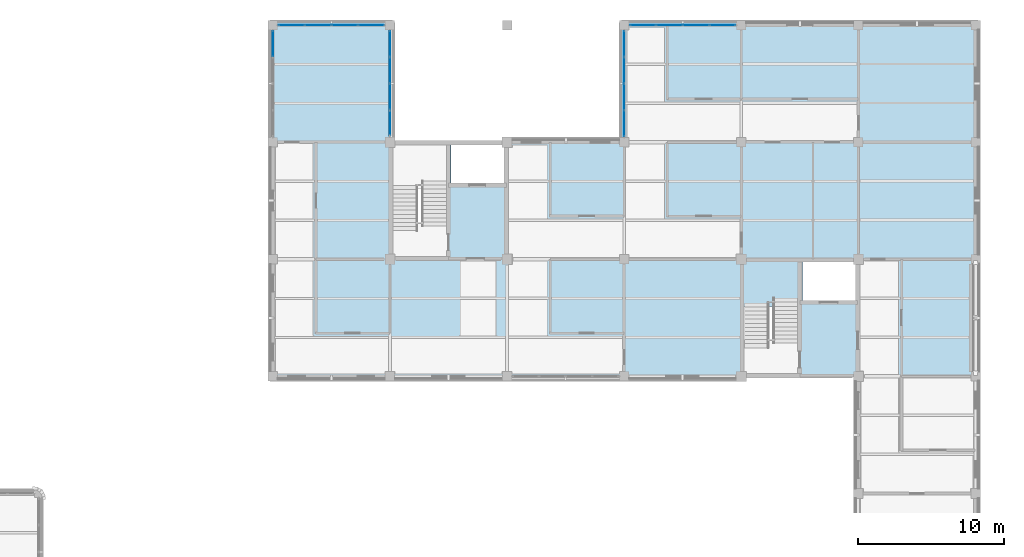
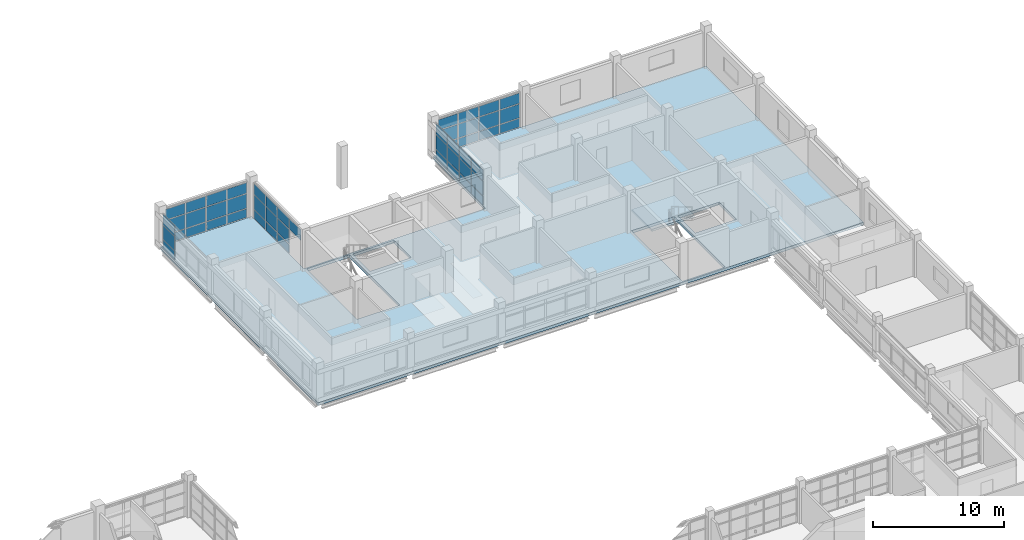
# One storey, part 69 of 107: 49 plates, 2 slabs, 6 elements without a shape of their own.
"""IFC4 building model written with IfcOpenShell, lengths in metres."""

from ifc_helpers import new_model, si_unit, derived_unit, direction, frame, origin, origin_2d, place, context, subcontext, project, spatial, polyline, rectangle, outline, extrude, material, layer, layer_set, type_object, element, aggregate, save


model = new_model("IFC4")

# Units and contexts
model_context = context("Model", 3, precision=1e-05, world=origin(), true_north=direction((0.0, 1.0)))
body_context = subcontext(model_context, "Body", "Model", "MODEL_VIEW")
ifc_project = project(units=[si_unit("LENGTHUNIT", "METRE"), si_unit("AREAUNIT", "SQUARE_METRE"), si_unit("VOLUMEUNIT", "CUBIC_METRE"), si_unit("PLANEANGLEUNIT", "RADIAN"), si_unit("MASSUNIT", "GRAM", prefix="KILO"), derived_unit("THERMALTRANSMITTANCEUNIT", [(si_unit("MASSUNIT", "GRAM", prefix="KILO"), 1), (si_unit("TIMEUNIT", "SECOND"), -3), (si_unit("THERMODYNAMICTEMPERATUREUNIT", "KELVIN"), -1)])], contexts=[model_context])

# Site, building, storey
site_placement = place(None, origin())
site = spatial("IfcSite", under=ifc_project, at=site_placement, CompositionType="ELEMENT")
building_placement = place(site_placement, origin())
building = spatial("IfcBuilding", under=site, at=building_placement, Name="Veyamyaing Civic Hall", CompositionType="ELEMENT")
storey_placement = place(building_placement, frame((0.0, 0.0, 13.860107421875)))
storey = spatial("IfcBuildingStorey", under=building, at=storey_placement, Name="L03", CompositionType="ELEMENT", Elevation=13.860107421875)

# Curtain wall, plates
ifc_material_1 = material(Name="Anodised aluminium 6063-T6", Category="aluminium")
ifc_layer_1 = layer(ifc_material_1, 0.159912109375, Name="Anodised aluminium 6063-T6")
ifc_layer_set_1 = layer_set([ifc_layer_1], Name="Anodised aluminium 6063-T6")
curtain_wall_type = type_object("IfcCurtainWallType", Name="CW-07", PredefinedType="NOTDEFINED", material=ifc_layer_set_1)
curtain_wall_1_placement = place(storey_placement, origin())
curtain_wall_1 = element("IfcCurtainWall", 1, at=curtain_wall_1_placement, inside=storey, type_object=curtain_wall_type, Name="Unitized curtain wall CW-07 L03 N 20.14", PredefinedType="NOTDEFINED")
ifc_material_2 = material(Name="Low-E insulated glass", Category="glass")
ifc_layer_2 = layer(ifc_material_2, 0.028076171875, Name="Low-E insulated glass")
ifc_layer_set_2 = layer_set([ifc_layer_2], Name="Low-E insulated glass")
plate_type_1 = type_object("IfcPlateType", Name="CWP-01", PredefinedType="CURTAIN_PANEL", material=ifc_layer_set_2)
plate_1_placement = place(storey_placement, frame((153.282470703125, 112.0, 0.06494140625), z_axis=(0.0, 0.0, 1.0), x_axis=(1.0, 0.0, 0.0)))
plate_1 = element("IfcPlate", 2, at=plate_1_placement, type_object=plate_type_1, Name="CW-07 panel 1.1", PredefinedType="CURTAIN_PANEL", context=body_context, shape_type="SweptSolid", body=[
    extrude(rectangle(XDim=1.72509765625, YDim=0.028076171875, at=origin_2d()), origin(), (0.0, 0.0, 1.0), 0.802490234375),
])
plate_2_placement = place(storey_placement, frame((153.282470703125, 112.0, 0.93212890625), z_axis=(0.0, 0.0, 1.0), x_axis=(1.0, 0.0, 0.0)))
plate_2 = element("IfcPlate", 3, at=plate_2_placement, type_object=plate_type_1, Name="CW-07 panel 1.2", PredefinedType="CURTAIN_PANEL", context=body_context, shape_type="SweptSolid", body=[
    extrude(rectangle(XDim=1.72509765625, YDim=0.028076171875, at=origin_2d()), origin(), (0.0, 0.0, 1.0), 1.279052734375),
])
plate_3_placement = place(storey_placement, frame((153.282470703125, 112.0, 2.2763671875), z_axis=(0.0, 0.0, 1.0), x_axis=(1.0, 0.0, 0.0)))
plate_3 = element("IfcPlate", 4, at=plate_3_placement, type_object=plate_type_1, Name="CW-07 panel 1.3", PredefinedType="CURTAIN_PANEL", context=body_context, shape_type="SweptSolid", body=[
    extrude(rectangle(XDim=1.72509765625, YDim=0.028076171875, at=origin_2d()), origin(), (0.0, 0.0, 1.0), 0.95849609375),
])
plate_4_placement = place(storey_placement, frame((155.0888671875, 112.0, 0.06494140625), z_axis=(0.0, 0.0, 1.0), x_axis=(1.0, 0.0, 0.0)))
plate_4 = element("IfcPlate", 5, at=plate_4_placement, type_object=plate_type_1, Name="CW-07 panel 2.1", PredefinedType="CURTAIN_PANEL", context=body_context, shape_type="SweptSolid", body=[
    extrude(rectangle(XDim=1.757568359375, YDim=0.028076171875, at=origin_2d()), origin(), (0.0, 0.0, 1.0), 0.802490234375),
])
plate_5_placement = place(storey_placement, frame((155.0888671875, 112.0, 0.93212890625), z_axis=(0.0, 0.0, 1.0), x_axis=(1.0, 0.0, 0.0)))
plate_5 = element("IfcPlate", 6, at=plate_5_placement, type_object=plate_type_1, Name="CW-07 panel 2.2", PredefinedType="CURTAIN_PANEL", context=body_context, shape_type="SweptSolid", body=[
    extrude(rectangle(XDim=1.757568359375, YDim=0.028076171875, at=origin_2d()), origin(), (0.0, 0.0, 1.0), 1.279052734375),
])
plate_6_placement = place(storey_placement, frame((155.0888671875, 112.0, 2.2763671875), z_axis=(0.0, 0.0, 1.0), x_axis=(1.0, 0.0, 0.0)))
plate_6 = element("IfcPlate", 7, at=plate_6_placement, type_object=plate_type_1, Name="CW-07 panel 2.3", PredefinedType="CURTAIN_PANEL", context=body_context, shape_type="SweptSolid", body=[
    extrude(rectangle(XDim=1.757568359375, YDim=0.028076171875, at=origin_2d()), origin(), (0.0, 0.0, 1.0), 0.95849609375),
])
plate_7_placement = place(storey_placement, frame((156.9111328125, 112.0, 0.06494140625), z_axis=(0.0, 0.0, 1.0), x_axis=(1.0, 0.0, 0.0)))
plate_7 = element("IfcPlate", 8, at=plate_7_placement, type_object=plate_type_1, Name="CW-07 panel 3.1", PredefinedType="CURTAIN_PANEL", context=body_context, shape_type="SweptSolid", body=[
    extrude(rectangle(XDim=1.757568359375, YDim=0.028076171875, at=origin_2d()), origin(), (0.0, 0.0, 1.0), 0.802490234375),
])
plate_8_placement = place(storey_placement, frame((156.9111328125, 112.0, 0.93212890625), z_axis=(0.0, 0.0, 1.0), x_axis=(1.0, 0.0, 0.0)))
plate_8 = element("IfcPlate", 9, at=plate_8_placement, type_object=plate_type_1, Name="CW-07 panel 3.2", PredefinedType="CURTAIN_PANEL", context=body_context, shape_type="SweptSolid", body=[
    extrude(rectangle(XDim=1.757568359375, YDim=0.028076171875, at=origin_2d()), origin(), (0.0, 0.0, 1.0), 1.279052734375),
])
plate_9_placement = place(storey_placement, frame((156.9111328125, 112.0, 2.2763671875), z_axis=(0.0, 0.0, 1.0), x_axis=(1.0, 0.0, 0.0)))
plate_9 = element("IfcPlate", 10, at=plate_9_placement, type_object=plate_type_1, Name="CW-07 panel 3.3", PredefinedType="CURTAIN_PANEL", context=body_context, shape_type="SweptSolid", body=[
    extrude(rectangle(XDim=1.757568359375, YDim=0.028076171875, at=origin_2d()), origin(), (0.0, 0.0, 1.0), 0.95849609375),
])
plate_10_placement = place(storey_placement, frame((158.717529296875, 112.0, 0.06494140625), z_axis=(0.0, 0.0, 1.0), x_axis=(1.0, 0.0, 0.0)))
plate_10 = element("IfcPlate", 11, at=plate_10_placement, type_object=plate_type_1, Name="CW-07 panel 4.1", PredefinedType="CURTAIN_PANEL", context=body_context, shape_type="SweptSolid", body=[
    extrude(rectangle(XDim=1.72509765625, YDim=0.028076171875, at=origin_2d()), origin(), (0.0, 0.0, 1.0), 0.802490234375),
])
plate_11_placement = place(storey_placement, frame((158.717529296875, 112.0, 0.93212890625), z_axis=(0.0, 0.0, 1.0), x_axis=(1.0, 0.0, 0.0)))
plate_11 = element("IfcPlate", 12, at=plate_11_placement, type_object=plate_type_1, Name="CW-07 panel 4.2", PredefinedType="CURTAIN_PANEL", context=body_context, shape_type="SweptSolid", body=[
    extrude(rectangle(XDim=1.72509765625, YDim=0.028076171875, at=origin_2d()), origin(), (0.0, 0.0, 1.0), 1.279052734375),
])
plate_12_placement = place(storey_placement, frame((158.717529296875, 112.0, 2.2763671875), z_axis=(0.0, 0.0, 1.0), x_axis=(1.0, 0.0, 0.0)))
plate_12 = element("IfcPlate", 13, at=plate_12_placement, type_object=plate_type_1, Name="CW-07 panel 4.3", PredefinedType="CURTAIN_PANEL", context=body_context, shape_type="SweptSolid", body=[
    extrude(rectangle(XDim=1.72509765625, YDim=0.028076171875, at=origin_2d()), origin(), (0.0, 0.0, 1.0), 0.95849609375),
])
aggregate(curtain_wall_1, [plate_1, plate_2, plate_3, plate_4, plate_5, plate_6, plate_7, plate_8, plate_9, plate_10, plate_11, plate_12])

curtain_wall_2_placement = place(storey_placement, origin())
curtain_wall_2 = element("IfcCurtainWall", 14, at=curtain_wall_2_placement, inside=storey, type_object=curtain_wall_type, Name="Unitized curtain wall CW-07 L03 W 20.14", PredefinedType="NOTDEFINED")
plate_13_placement = place(storey_placement, frame((152.0, 105.282470703125, 0.06494140625), z_axis=(0.0, 0.0, 1.0), x_axis=(0.0, 1.0, 0.0)))
plate_13 = element("IfcPlate", 15, at=plate_13_placement, type_object=plate_type_1, Name="CW-07 panel 1.1", PredefinedType="CURTAIN_PANEL", context=body_context, shape_type="SweptSolid", body=[
    extrude(rectangle(XDim=1.72509765625, YDim=0.028076171875, at=origin_2d()), origin(), (0.0, 0.0, 1.0), 0.802490234375),
])
plate_14_placement = place(storey_placement, frame((152.0, 105.282470703125, 0.932373046875), z_axis=(0.0, 0.0, 1.0), x_axis=(0.0, 1.0, 0.0)))
plate_14 = element("IfcPlate", 16, at=plate_14_placement, type_object=plate_type_1, Name="CW-07 panel 1.2", PredefinedType="CURTAIN_PANEL", context=body_context, shape_type="SweptSolid", body=[
    extrude(rectangle(XDim=1.72509765625, YDim=0.028076171875, at=origin_2d()), origin(), (0.0, 0.0, 1.0), 1.32470703125),
])
plate_15_placement = place(storey_placement, frame((152.0, 105.282470703125, 2.322021484375), z_axis=(0.0, 0.0, 1.0), x_axis=(0.0, 1.0, 0.0)))
plate_15 = element("IfcPlate", 17, at=plate_15_placement, type_object=plate_type_1, Name="CW-07 panel 1.3", PredefinedType="CURTAIN_PANEL", context=body_context, shape_type="SweptSolid", body=[
    extrude(rectangle(XDim=1.72509765625, YDim=0.028076171875, at=origin_2d()), origin(), (0.0, 0.0, 1.0), 0.97998046875),
])
plate_16_placement = place(storey_placement, frame((152.0, 107.0888671875, 0.06494140625), z_axis=(0.0, 0.0, 1.0), x_axis=(0.0, 1.0, 0.0)))
plate_16 = element("IfcPlate", 18, at=plate_16_placement, type_object=plate_type_1, Name="CW-07 panel 2.1", PredefinedType="CURTAIN_PANEL", context=body_context, shape_type="SweptSolid", body=[
    extrude(rectangle(XDim=1.757568359375, YDim=0.028076171875, at=origin_2d()), origin(), (0.0, 0.0, 1.0), 0.802490234375),
])
plate_17_placement = place(storey_placement, frame((152.0, 107.0888671875, 0.932373046875), z_axis=(0.0, 0.0, 1.0), x_axis=(0.0, 1.0, 0.0)))
plate_17 = element("IfcPlate", 19, at=plate_17_placement, type_object=plate_type_1, Name="CW-07 panel 2.2", PredefinedType="CURTAIN_PANEL", context=body_context, shape_type="SweptSolid", body=[
    extrude(rectangle(XDim=1.757568359375, YDim=0.028076171875, at=origin_2d()), origin(), (0.0, 0.0, 1.0), 1.32470703125),
])
plate_18_placement = place(storey_placement, frame((152.0, 107.0888671875, 2.322021484375), z_axis=(0.0, 0.0, 1.0), x_axis=(0.0, 1.0, 0.0)))
plate_18 = element("IfcPlate", 20, at=plate_18_placement, type_object=plate_type_1, Name="CW-07 panel 2.3", PredefinedType="CURTAIN_PANEL", context=body_context, shape_type="SweptSolid", body=[
    extrude(rectangle(XDim=1.757568359375, YDim=0.028076171875, at=origin_2d()), origin(), (0.0, 0.0, 1.0), 0.97998046875),
])
plate_19_placement = place(storey_placement, frame((152.0, 108.9111328125, 0.06494140625), z_axis=(0.0, 0.0, 1.0), x_axis=(0.0, 1.0, 0.0)))
plate_19 = element("IfcPlate", 21, at=plate_19_placement, type_object=plate_type_1, Name="CW-07 panel 3.1", PredefinedType="CURTAIN_PANEL", context=body_context, shape_type="SweptSolid", body=[
    extrude(rectangle(XDim=1.757568359375, YDim=0.028076171875, at=origin_2d()), origin(), (0.0, 0.0, 1.0), 0.802490234375),
])
plate_20_placement = place(storey_placement, frame((152.0, 108.9111328125, 0.932373046875), z_axis=(0.0, 0.0, 1.0), x_axis=(0.0, 1.0, 0.0)))
plate_20 = element("IfcPlate", 22, at=plate_20_placement, type_object=plate_type_1, Name="CW-07 panel 3.2", PredefinedType="CURTAIN_PANEL", context=body_context, shape_type="SweptSolid", body=[
    extrude(rectangle(XDim=1.757568359375, YDim=0.028076171875, at=origin_2d()), origin(), (0.0, 0.0, 1.0), 1.32470703125),
])
plate_21_placement = place(storey_placement, frame((152.0, 108.9111328125, 2.322021484375), z_axis=(0.0, 0.0, 1.0), x_axis=(0.0, 1.0, 0.0)))
plate_21 = element("IfcPlate", 23, at=plate_21_placement, type_object=plate_type_1, Name="CW-07 panel 3.3", PredefinedType="CURTAIN_PANEL", context=body_context, shape_type="SweptSolid", body=[
    extrude(rectangle(XDim=1.757568359375, YDim=0.028076171875, at=origin_2d()), origin(), (0.0, 0.0, 1.0), 0.97998046875),
])
plate_22_placement = place(storey_placement, frame((152.0, 110.717529296875, 0.06494140625), z_axis=(0.0, 0.0, 1.0), x_axis=(0.0, 1.0, 0.0)))
plate_22 = element("IfcPlate", 24, at=plate_22_placement, type_object=plate_type_1, Name="CW-07 panel 4.1", PredefinedType="CURTAIN_PANEL", context=body_context, shape_type="SweptSolid", body=[
    extrude(rectangle(XDim=1.72509765625, YDim=0.028076171875, at=origin_2d()), origin(), (0.0, 0.0, 1.0), 0.802490234375),
])
plate_23_placement = place(storey_placement, frame((152.0, 110.717529296875, 0.932373046875), z_axis=(0.0, 0.0, 1.0), x_axis=(0.0, 1.0, 0.0)))
plate_23 = element("IfcPlate", 25, at=plate_23_placement, type_object=plate_type_1, Name="CW-07 panel 4.2", PredefinedType="CURTAIN_PANEL", context=body_context, shape_type="SweptSolid", body=[
    extrude(rectangle(XDim=1.72509765625, YDim=0.028076171875, at=origin_2d()), origin(), (0.0, 0.0, 1.0), 1.32470703125),
])
plate_24_placement = place(storey_placement, frame((152.0, 110.717529296875, 2.322021484375), z_axis=(0.0, 0.0, 1.0), x_axis=(0.0, 1.0, 0.0)))
plate_24 = element("IfcPlate", 26, at=plate_24_placement, type_object=plate_type_1, Name="CW-07 panel 4.3", PredefinedType="CURTAIN_PANEL", context=body_context, shape_type="SweptSolid", body=[
    extrude(rectangle(XDim=1.72509765625, YDim=0.028076171875, at=origin_2d()), origin(), (0.0, 0.0, 1.0), 0.97998046875),
])
aggregate(curtain_wall_2, [plate_13, plate_14, plate_15, plate_16, plate_17, plate_18, plate_19, plate_20, plate_21, plate_22, plate_23, plate_24])

curtain_wall_3_placement = place(storey_placement, origin())
curtain_wall_3 = element("IfcCurtainWall", 27, at=curtain_wall_3_placement, inside=storey, type_object=curtain_wall_type, Name="Unitized curtain wall CW-07 L03 N 17.14", PredefinedType="NOTDEFINED")
ifc_layer_3 = layer(ifc_material_2, 0.02392578125, Name="Low-E insulated glass")
ifc_layer_set_3 = layer_set([ifc_layer_3], Name="Low-E insulated glass")
plate_type_2 = type_object("IfcPlateType", Name="CWP-04", PredefinedType="CURTAIN_PANEL", material=ifc_layer_set_3)
plate_25_placement = place(storey_placement, frame((129.282470703125, 112.0, 0.06494140625), z_axis=(0.0, 0.0, 1.0), x_axis=(1.0, 0.0, 0.0)))
plate_25 = element("IfcPlate", 28, at=plate_25_placement, type_object=plate_type_2, Name="CW-07 panel 1.1", PredefinedType="CURTAIN_PANEL", context=body_context, shape_type="SweptSolid", body=[
    extrude(rectangle(XDim=1.72509765625, YDim=0.02392578125, at=origin_2d()), origin(), (0.0, 0.0, 1.0), 0.802490234375),
])
plate_26_placement = place(storey_placement, frame((129.282470703125, 112.0, 0.9326171875), z_axis=(0.0, 0.0, 1.0), x_axis=(1.0, 0.0, 0.0)))
plate_26 = element("IfcPlate", 29, at=plate_26_placement, type_object=plate_type_2, Name="CW-07 panel 1.2", PredefinedType="CURTAIN_PANEL", context=body_context, shape_type="SweptSolid", body=[
    extrude(rectangle(XDim=1.72509765625, YDim=0.02392578125, at=origin_2d()), origin(), (0.0, 0.0, 1.0), 1.322509765625),
])
plate_27_placement = place(storey_placement, frame((129.282470703125, 112.0, 2.31982421875), z_axis=(0.0, 0.0, 1.0), x_axis=(1.0, 0.0, 0.0)))
plate_27 = element("IfcPlate", 30, at=plate_27_placement, type_object=plate_type_2, Name="CW-07 panel 1.3", PredefinedType="CURTAIN_PANEL", context=body_context, shape_type="SweptSolid", body=[
    extrude(rectangle(XDim=1.72509765625, YDim=0.02392578125, at=origin_2d()), origin(), (0.0, 0.0, 1.0), 0.97900390625),
])
plate_28_placement = place(storey_placement, frame((131.0888671875, 112.0, 0.06494140625), z_axis=(0.0, 0.0, 1.0), x_axis=(1.0, 0.0, 0.0)))
plate_28 = element("IfcPlate", 31, at=plate_28_placement, type_object=plate_type_2, Name="CW-07 panel 2.1", PredefinedType="CURTAIN_PANEL", context=body_context, shape_type="SweptSolid", body=[
    extrude(rectangle(XDim=1.757568359375, YDim=0.02392578125, at=origin_2d()), origin(), (0.0, 0.0, 1.0), 0.802490234375),
])
plate_29_placement = place(storey_placement, frame((131.0888671875, 112.0, 0.9326171875), z_axis=(0.0, 0.0, 1.0), x_axis=(1.0, 0.0, 0.0)))
plate_29 = element("IfcPlate", 32, at=plate_29_placement, type_object=plate_type_2, Name="CW-07 panel 2.2", PredefinedType="CURTAIN_PANEL", context=body_context, shape_type="SweptSolid", body=[
    extrude(rectangle(XDim=1.757568359375, YDim=0.02392578125, at=origin_2d()), origin(), (0.0, 0.0, 1.0), 1.322509765625),
])
plate_30_placement = place(storey_placement, frame((131.0888671875, 112.0, 2.31982421875), z_axis=(0.0, 0.0, 1.0), x_axis=(1.0, 0.0, 0.0)))
plate_30 = element("IfcPlate", 33, at=plate_30_placement, type_object=plate_type_2, Name="CW-07 panel 2.3", PredefinedType="CURTAIN_PANEL", context=body_context, shape_type="SweptSolid", body=[
    extrude(rectangle(XDim=1.757568359375, YDim=0.02392578125, at=origin_2d()), origin(), (0.0, 0.0, 1.0), 0.97900390625),
])
plate_31_placement = place(storey_placement, frame((132.9111328125, 112.0, 0.06494140625), z_axis=(0.0, 0.0, 1.0), x_axis=(1.0, 0.0, 0.0)))
plate_31 = element("IfcPlate", 34, at=plate_31_placement, type_object=plate_type_2, Name="CW-07 panel 3.1", PredefinedType="CURTAIN_PANEL", context=body_context, shape_type="SweptSolid", body=[
    extrude(rectangle(XDim=1.757568359375, YDim=0.02392578125, at=origin_2d()), origin(), (0.0, 0.0, 1.0), 0.802490234375),
])
plate_32_placement = place(storey_placement, frame((132.9111328125, 112.0, 0.9326171875), z_axis=(0.0, 0.0, 1.0), x_axis=(1.0, 0.0, 0.0)))
plate_32 = element("IfcPlate", 35, at=plate_32_placement, type_object=plate_type_2, Name="CW-07 panel 3.2", PredefinedType="CURTAIN_PANEL", context=body_context, shape_type="SweptSolid", body=[
    extrude(rectangle(XDim=1.757568359375, YDim=0.02392578125, at=origin_2d()), origin(), (0.0, 0.0, 1.0), 1.322509765625),
])
plate_33_placement = place(storey_placement, frame((132.9111328125, 112.0, 2.31982421875), z_axis=(0.0, 0.0, 1.0), x_axis=(1.0, 0.0, 0.0)))
plate_33 = element("IfcPlate", 36, at=plate_33_placement, type_object=plate_type_2, Name="CW-07 panel 3.3", PredefinedType="CURTAIN_PANEL", context=body_context, shape_type="SweptSolid", body=[
    extrude(rectangle(XDim=1.757568359375, YDim=0.02392578125, at=origin_2d()), origin(), (0.0, 0.0, 1.0), 0.97900390625),
])
plate_34_placement = place(storey_placement, frame((134.717529296875, 112.0, 0.06494140625), z_axis=(0.0, 0.0, 1.0), x_axis=(1.0, 0.0, 0.0)))
plate_34 = element("IfcPlate", 37, at=plate_34_placement, type_object=plate_type_2, Name="CW-07 panel 4.1", PredefinedType="CURTAIN_PANEL", context=body_context, shape_type="SweptSolid", body=[
    extrude(rectangle(XDim=1.72509765625, YDim=0.02392578125, at=origin_2d()), origin(), (0.0, 0.0, 1.0), 0.802490234375),
])
plate_35_placement = place(storey_placement, frame((134.717529296875, 112.0, 0.9326171875), z_axis=(0.0, 0.0, 1.0), x_axis=(1.0, 0.0, 0.0)))
plate_35 = element("IfcPlate", 38, at=plate_35_placement, type_object=plate_type_2, Name="CW-07 panel 4.2", PredefinedType="CURTAIN_PANEL", context=body_context, shape_type="SweptSolid", body=[
    extrude(rectangle(XDim=1.72509765625, YDim=0.02392578125, at=origin_2d()), origin(), (0.0, 0.0, 1.0), 1.322509765625),
])
plate_36_placement = place(storey_placement, frame((134.717529296875, 112.0, 2.31982421875), z_axis=(0.0, 0.0, 1.0), x_axis=(1.0, 0.0, 0.0)))
plate_36 = element("IfcPlate", 39, at=plate_36_placement, type_object=plate_type_2, Name="CW-07 panel 4.3", PredefinedType="CURTAIN_PANEL", context=body_context, shape_type="SweptSolid", body=[
    extrude(rectangle(XDim=1.72509765625, YDim=0.02392578125, at=origin_2d()), origin(), (0.0, 0.0, 1.0), 0.97900390625),
])
aggregate(curtain_wall_3, [plate_25, plate_26, plate_27, plate_28, plate_29, plate_30, plate_31, plate_32, plate_33, plate_34, plate_35, plate_36])

curtain_wall_4_placement = place(storey_placement, origin())
curtain_wall_4 = element("IfcCurtainWall", 40, at=curtain_wall_4_placement, inside=storey, type_object=curtain_wall_type, Name="Unitized curtain wall CW-07 L03 W 17.14", PredefinedType="NOTDEFINED")
plate_37_placement = place(storey_placement, frame((128.0, 110.717529296875, 0.06494140625), z_axis=(0.0, 0.0, 1.0), x_axis=(0.0, 1.0, 0.0)))
plate_37 = element("IfcPlate", 41, at=plate_37_placement, type_object=plate_type_2, Name="CW-07 panel 4.1", PredefinedType="CURTAIN_PANEL", context=body_context, shape_type="SweptSolid", body=[
    extrude(rectangle(XDim=1.72509765625, YDim=0.02392578125, at=origin_2d()), origin(), (0.0, 0.0, 1.0), 0.802490234375),
])
plate_38_placement = place(storey_placement, frame((128.0, 110.717529296875, 0.93212890625), z_axis=(0.0, 0.0, 1.0), x_axis=(0.0, 1.0, 0.0)))
plate_38 = element("IfcPlate", 42, at=plate_38_placement, type_object=plate_type_2, Name="CW-07 panel 4.2", PredefinedType="CURTAIN_PANEL", context=body_context, shape_type="SweptSolid", body=[
    extrude(rectangle(XDim=1.72509765625, YDim=0.02392578125, at=origin_2d()), origin(), (0.0, 0.0, 1.0), 1.279052734375),
])
plate_39_placement = place(storey_placement, frame((128.0, 110.717529296875, 2.2763671875), z_axis=(0.0, 0.0, 1.0), x_axis=(0.0, 1.0, 0.0)))
plate_39 = element("IfcPlate", 43, at=plate_39_placement, type_object=plate_type_2, Name="CW-07 panel 4.3", PredefinedType="CURTAIN_PANEL", context=body_context, shape_type="SweptSolid", body=[
    extrude(rectangle(XDim=1.72509765625, YDim=0.02392578125, at=origin_2d()), origin(), (0.0, 0.0, 1.0), 0.95849609375),
])
aggregate(curtain_wall_4, [plate_37, plate_38, plate_39])

curtain_wall_5_placement = place(storey_placement, origin())
curtain_wall_5 = element("IfcCurtainWall", 44, at=curtain_wall_5_placement, inside=storey, type_object=curtain_wall_type, Name="Unitized curtain wall CW-07 L03 E 17.14", PredefinedType="NOTDEFINED")
plate_40_placement = place(storey_placement, frame((136.0, 105.304443359375, 2.31982421875), z_axis=(0.0, 0.0, 1.0), x_axis=(0.0, 1.0, 0.0)))
plate_40 = element("IfcPlate", 45, at=plate_40_placement, type_object=plate_type_2, Name="CW-07 panel 1.3", PredefinedType="CURTAIN_PANEL", context=body_context, shape_type="SweptSolid", body=[
    extrude(rectangle(XDim=1.71875, YDim=0.02392578125, at=origin_2d()), origin(), (0.0, 0.0, 1.0), 0.97900390625),
])
plate_41_placement = place(storey_placement, frame((136.0, 107.1044921875, 0.06494140625), z_axis=(0.0, 0.0, 1.0), x_axis=(0.0, 1.0, 0.0)))
plate_41 = element("IfcPlate", 46, at=plate_41_placement, type_object=plate_type_2, Name="CW-07 panel 2.1", PredefinedType="CURTAIN_PANEL", context=body_context, shape_type="SweptSolid", body=[
    extrude(rectangle(XDim=1.751220703125, YDim=0.02392578125, at=origin_2d()), origin(), (0.0, 0.0, 1.0), 0.802490234375),
])
plate_42_placement = place(storey_placement, frame((136.0, 107.1044921875, 0.9326171875), z_axis=(0.0, 0.0, 1.0), x_axis=(0.0, 1.0, 0.0)))
plate_42 = element("IfcPlate", 47, at=plate_42_placement, type_object=plate_type_2, Name="CW-07 panel 2.2", PredefinedType="CURTAIN_PANEL", context=body_context, shape_type="SweptSolid", body=[
    extrude(rectangle(XDim=1.751220703125, YDim=0.02392578125, at=origin_2d()), origin(), (0.0, 0.0, 1.0), 1.322509765625),
])
plate_43_placement = place(storey_placement, frame((136.0, 107.1044921875, 2.31982421875), z_axis=(0.0, 0.0, 1.0), x_axis=(0.0, 1.0, 0.0)))
plate_43 = element("IfcPlate", 48, at=plate_43_placement, type_object=plate_type_2, Name="CW-07 panel 2.3", PredefinedType="CURTAIN_PANEL", context=body_context, shape_type="SweptSolid", body=[
    extrude(rectangle(XDim=1.751220703125, YDim=0.02392578125, at=origin_2d()), origin(), (0.0, 0.0, 1.0), 0.97900390625),
])
plate_44_placement = place(storey_placement, frame((136.0, 108.920654296875, 0.06494140625), z_axis=(0.0, 0.0, 1.0), x_axis=(0.0, 1.0, 0.0)))
plate_44 = element("IfcPlate", 49, at=plate_44_placement, type_object=plate_type_2, Name="CW-07 panel 3.1", PredefinedType="CURTAIN_PANEL", context=body_context, shape_type="SweptSolid", body=[
    extrude(rectangle(XDim=1.751220703125, YDim=0.02392578125, at=origin_2d()), origin(), (0.0, 0.0, 1.0), 0.802490234375),
])
plate_45_placement = place(storey_placement, frame((136.0, 108.920654296875, 0.9326171875), z_axis=(0.0, 0.0, 1.0), x_axis=(0.0, 1.0, 0.0)))
plate_45 = element("IfcPlate", 50, at=plate_45_placement, type_object=plate_type_2, Name="CW-07 panel 3.2", PredefinedType="CURTAIN_PANEL", context=body_context, shape_type="SweptSolid", body=[
    extrude(rectangle(XDim=1.751220703125, YDim=0.02392578125, at=origin_2d()), origin(), (0.0, 0.0, 1.0), 1.322509765625),
])
plate_46_placement = place(storey_placement, frame((136.0, 108.920654296875, 2.31982421875), z_axis=(0.0, 0.0, 1.0), x_axis=(0.0, 1.0, 0.0)))
plate_46 = element("IfcPlate", 51, at=plate_46_placement, type_object=plate_type_2, Name="CW-07 panel 3.3", PredefinedType="CURTAIN_PANEL", context=body_context, shape_type="SweptSolid", body=[
    extrude(rectangle(XDim=1.751220703125, YDim=0.02392578125, at=origin_2d()), origin(), (0.0, 0.0, 1.0), 0.97900390625),
])
plate_47_placement = place(storey_placement, frame((136.0, 110.720703125, 0.06494140625), z_axis=(0.0, 0.0, 1.0), x_axis=(0.0, 1.0, 0.0)))
plate_47 = element("IfcPlate", 52, at=plate_47_placement, type_object=plate_type_2, Name="CW-07 panel 4.1", PredefinedType="CURTAIN_PANEL", context=body_context, shape_type="SweptSolid", body=[
    extrude(rectangle(XDim=1.71875, YDim=0.02392578125, at=origin_2d()), origin(), (0.0, 0.0, 1.0), 0.802490234375),
])
plate_48_placement = place(storey_placement, frame((136.0, 110.720703125, 0.9326171875), z_axis=(0.0, 0.0, 1.0), x_axis=(0.0, 1.0, 0.0)))
plate_48 = element("IfcPlate", 53, at=plate_48_placement, type_object=plate_type_2, Name="CW-07 panel 4.2", PredefinedType="CURTAIN_PANEL", context=body_context, shape_type="SweptSolid", body=[
    extrude(rectangle(XDim=1.71875, YDim=0.02392578125, at=origin_2d()), origin(), (0.0, 0.0, 1.0), 1.322509765625),
])
plate_49_placement = place(storey_placement, frame((136.0, 110.720703125, 2.31982421875), z_axis=(0.0, 0.0, 1.0), x_axis=(0.0, 1.0, 0.0)))
plate_49 = element("IfcPlate", 54, at=plate_49_placement, type_object=plate_type_2, Name="CW-07 panel 4.3", PredefinedType="CURTAIN_PANEL", context=body_context, shape_type="SweptSolid", body=[
    extrude(rectangle(XDim=1.71875, YDim=0.02392578125, at=origin_2d()), origin(), (0.0, 0.0, 1.0), 0.97900390625),
])
aggregate(curtain_wall_5, [plate_40, plate_41, plate_42, plate_43, plate_44, plate_45, plate_46, plate_47, plate_48, plate_49])

# Slab
ifc_material_3 = material(Name="Concrete C40/50", Category="concrete")
ifc_layer_4 = layer(ifc_material_3, 0.2548828125, Name="Concrete C40/50")
ifc_layer_set_4 = layer_set([ifc_layer_4], Name="Concrete C40/50")
slab_type_1 = type_object("IfcSlabType", Name="SL-05", PredefinedType="FLOOR", material=ifc_layer_set_4)
slab_1_placement = place(storey_placement, frame((0.0, 0.0, -0.255126953125)))
element("IfcSlab", 55, at=slab_1_placement, inside=storey, type_object=slab_type_1, Name="Floor slab SL-05 L03 V4NE.1", PredefinedType="FLOOR", context=body_context, shape_type="SweptSolid", body=[
    extrude(outline(polyline([(176.0, 88.0), (128.0, 88.0), (128.0, 112.0), (136.0, 112.0), (136.0, 104.0), (152.0, 104.0), (152.0, 112.0), (176.0, 112.0), (176.0, 88.0)]), holes=[polyline([(163.909912109375, 95.860107421875), (160.139892578125, 95.860107421875), (160.139892578125, 88.139892578125), (163.909912109375, 88.139892578125), (163.909912109375, 95.860107421875)]), polyline([(167.820068359375, 95.820068359375), (164.179931640625, 95.820068359375), (164.179931640625, 93.179931640625), (167.820068359375, 93.179931640625), (167.820068359375, 95.820068359375)]), polyline([(139.909912109375, 103.860107421875), (136.139892578125, 103.860107421875), (136.139892578125, 96.139892578125), (139.909912109375, 96.139892578125), (139.909912109375, 103.860107421875)]), polyline([(143.820068359375, 103.820068359375), (140.179931640625, 103.820068359375), (140.179931640625, 101.179931640625), (143.820068359375, 101.179931640625), (143.820068359375, 103.820068359375)])]), origin(), (0.0, 0.0, 1.0), 0.255126953125),
])

# Stair, slab
stair_type = type_object("IfcStairType", Name="ST-D", PredefinedType="HALF_TURN_STAIR", material=ifc_material_3)
stair_placement = place(storey_placement, origin())
stair = element("IfcStair", 56, at=stair_placement, inside=storey, type_object=stair_type, Name="Protected exit stair ST-03 L03", PredefinedType="HALF_TURN_STAIR")
ifc_layer_5 = layer(ifc_material_3, 0.195068359375, Name="Concrete C40/50")
ifc_layer_set_5 = layer_set([ifc_layer_5], Name="Concrete C40/50")
slab_type_2 = type_object("IfcSlabType", Name="SL-LND", PredefinedType="LANDING", material=ifc_layer_set_5)
slab_2_placement = place(storey_placement, frame((0.0, 0.0, 1.784912109375)))
slab_2 = element("IfcSlab", 57, at=slab_2_placement, type_object=slab_type_2, Name="ST-03 landing 1", PredefinedType="LANDING", context=body_context, shape_type="SweptSolid", body=[
    extrude(outline(polyline([(160.139892578125, 92.7900390625), (163.909912109375, 92.7900390625), (163.909912109375, 95.860107421875), (160.139892578125, 95.860107421875), (160.139892578125, 92.7900390625)])), origin(), (0.0, 0.0, 1.0), 0.195068359375),
])
aggregate(stair, [slab_2])

save(model, "model.ifc")
